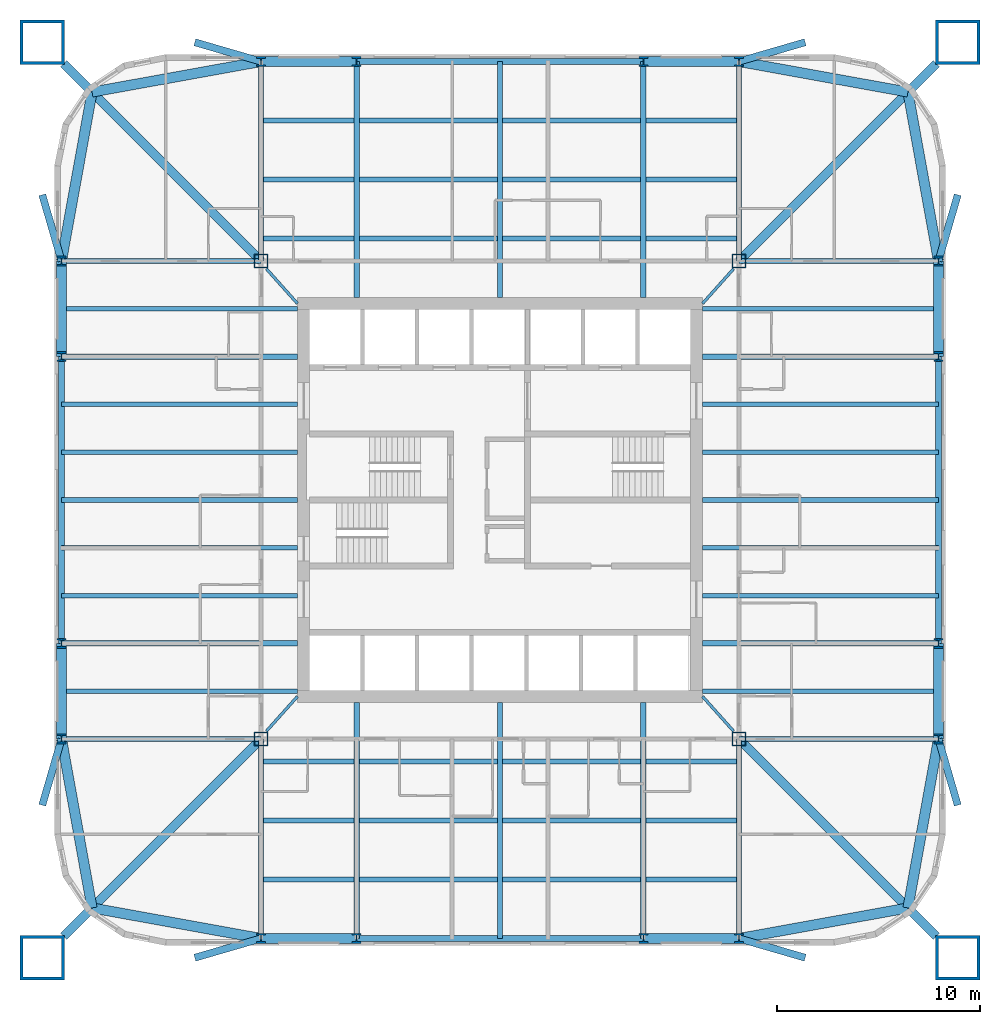
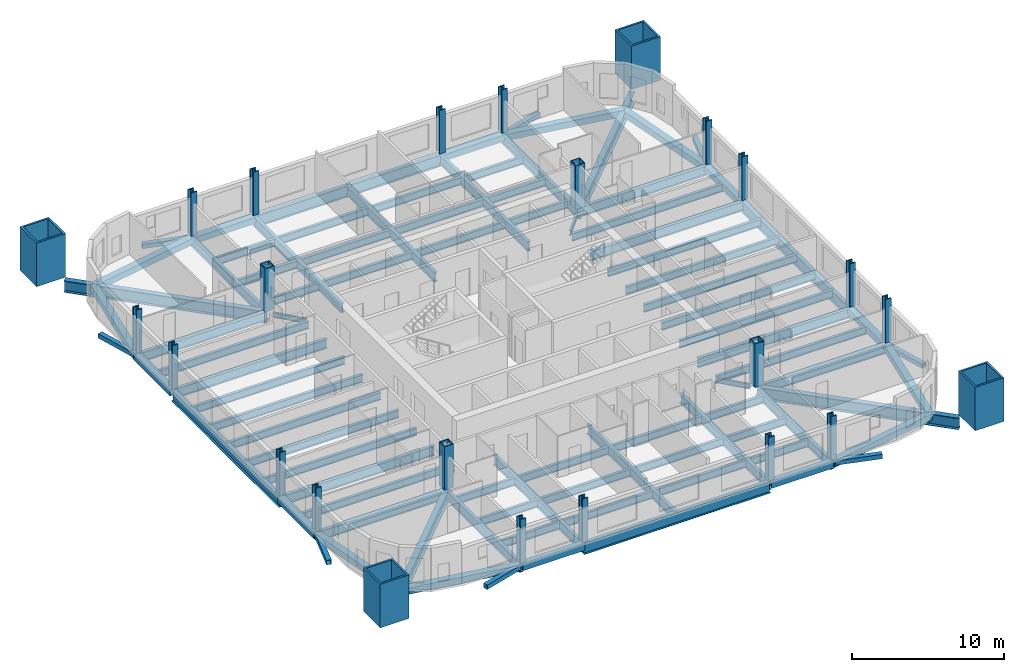
# One storey, part 1 of 10: 92 beams, 24 columns.
"""IFC4 building model written with IfcOpenShell, lengths in metres."""

from ifc_helpers import new_model, si_unit, direction, frame, origin, origin_2d, place, context, subcontext, project, spatial, hollow_rectangle, i_section, extrude, material, material_profile, profile_set, type_object, element, save


model = new_model("IFC4")

# Units and contexts
model_context = context("Model", 3, precision=1e-05, world=origin(), true_north=direction((0.0, 1.0)))
body_context = subcontext(model_context, "Body", "Model", "MODEL_VIEW")
ifc_project = project(units=[si_unit("LENGTHUNIT", "METRE"), si_unit("AREAUNIT", "SQUARE_METRE"), si_unit("VOLUMEUNIT", "CUBIC_METRE"), si_unit("PLANEANGLEUNIT", "RADIAN"), si_unit("MASSUNIT", "GRAM", prefix="KILO")], contexts=[model_context])

# Site, building, storey
site_placement = place(None, origin())
site = spatial("IfcSite", under=ifc_project, at=site_placement, CompositionType="ELEMENT")
building_placement = place(site_placement, origin())
building = spatial("IfcBuilding", under=site, at=building_placement, Name="Turquesa Mirador Hotel Tower", CompositionType="ELEMENT")
storey_placement = place(building_placement, frame((0.0, 0.0, 77.5)))
storey = spatial("IfcBuildingStorey", under=building, at=storey_placement, Name="L20", CompositionType="ELEMENT", Elevation=77.5)

# Columns
ifc_material_1 = material(Name="Steel ASTM A572 Grade 50", Category="steel")
ifc_material_profile_1 = material_profile(ifc_material_1, hollow_rectangle(XDim=0.699951171875, YDim=0.699951171875, WallThickness=0.06005859375, at=origin_2d()), Name="BOX700X700X60")
ifc_profile_set_1 = profile_set([ifc_material_profile_1], Name="Steel ASTM A572 Grade 50")
column_type_1 = type_object("IfcColumnType", Name="COLUMN BOX700X700X60", PredefinedType="COLUMN", material=ifc_profile_set_1)
for number, where, z_axis, x_axis, name in (
    (1, (43.199951171875, 33.199951171875, 0.0), (0.0, 0.0, 1.0), (1.0, 0.0, 0.0), "COL-L20-K--11.80--11.80"),
    (2, (43.199951171875, 56.800048828125, 0.0), (0.0, 0.0, 1.0), (1.0, 0.0, 0.0), "COL-L20-K--11.80-+11.80"),
    (3, (66.800048828125, 33.199951171875, 0.0), (0.0, 0.0, 1.0), (1.0, 0.0, 0.0), "COL-L20-K-+11.80--11.80"),
    (4, (66.800048828125, 56.800048828125, 0.0), (0.0, 0.0, 1.0), (1.0, 0.0, 0.0), "COL-L20-K-+11.80-+11.80"),
):
    element("IfcColumn", number, at=place(storey_placement, frame(where, z_axis=z_axis, x_axis=x_axis)), inside=storey, type_object=column_type_1, Name=name, PredefinedType="COLUMN", context=body_context, shape_type="SweptSolid", body=[
        extrude(hollow_rectangle(XDim=0.699951171875, YDim=0.699951171875, WallThickness=0.06005859375, at=origin_2d()), origin(), (0.0, 0.0, 1.0), 3.5),
    ])
ifc_material_2 = material(Name="Steel ASTM A992 Grade 50", Category="steel")
ifc_material_profile_2 = material_profile(ifc_material_2, i_section(OverallWidth=0.431884765625, OverallDepth=0.497802734375, WebThickness=0.0556640625, FlangeThickness=0.0888671875, at=origin_2d()), Name="W14X500")
ifc_profile_set_2 = profile_set([ifc_material_profile_2], Name="Steel ASTM A992 Grade 50")
column_type_2 = type_object("IfcColumnType", Name="COLUMN W14X500", PredefinedType="COLUMN", material=ifc_profile_set_2)
for number, where, z_axis, x_axis, name in (
    (5, (33.35009765625, 33.199951171875, 0.0), (0.0, 0.0, 1.0), (1.0, 0.0, 0.0), "COL-L20-P--21.65--11.80"),
    (6, (33.35009765625, 37.919921875, 0.0), (0.0, 0.0, 1.0), (1.0, 0.0, 0.0), "COL-L20-P--21.65--7.08"),
    (7, (33.35009765625, 52.080078125, 0.0), (0.0, 0.0, 1.0), (1.0, 0.0, 0.0), "COL-L20-P--21.65-+7.08"),
    (8, (33.35009765625, 56.800048828125, 0.0), (0.0, 0.0, 1.0), (1.0, 0.0, 0.0), "COL-L20-P--21.65-+11.80"),
    (9, (43.199951171875, 23.35009765625, 0.0), (0.0, 0.0, 1.0), (1.0, 0.0, 0.0), "COL-L20-P--11.80--21.65"),
    (10, (43.199951171875, 66.64990234375, 0.0), (0.0, 0.0, 1.0), (1.0, 0.0, 0.0), "COL-L20-P--11.80-+21.65"),
    (11, (47.919921875, 23.35009765625, 0.0), (0.0, 0.0, 1.0), (1.0, 0.0, 0.0), "COL-L20-P--7.08--21.65"),
    (12, (47.919921875, 66.64990234375, 0.0), (0.0, 0.0, 1.0), (1.0, 0.0, 0.0), "COL-L20-P--7.08-+21.65"),
    (13, (62.080078125, 23.35009765625, 0.0), (0.0, 0.0, 1.0), (1.0, 0.0, 0.0), "COL-L20-P-+7.08--21.65"),
    (14, (62.080078125, 66.64990234375, 0.0), (0.0, 0.0, 1.0), (1.0, 0.0, 0.0), "COL-L20-P-+7.08-+21.65"),
    (15, (66.800048828125, 23.35009765625, 0.0), (0.0, 0.0, 1.0), (1.0, 0.0, 0.0), "COL-L20-P-+11.80--21.65"),
    (16, (66.800048828125, 66.64990234375, 0.0), (0.0, 0.0, 1.0), (1.0, 0.0, 0.0), "COL-L20-P-+11.80-+21.65"),
    (17, (76.64990234375, 33.199951171875, 0.0), (0.0, 0.0, 1.0), (1.0, 0.0, 0.0), "COL-L20-P-+21.65--11.80"),
    (18, (76.64990234375, 37.919921875, 0.0), (0.0, 0.0, 1.0), (1.0, 0.0, 0.0), "COL-L20-P-+21.65--7.08"),
    (19, (76.64990234375, 52.080078125, 0.0), (0.0, 0.0, 1.0), (1.0, 0.0, 0.0), "COL-L20-P-+21.65-+7.08"),
    (20, (76.64990234375, 56.800048828125, 0.0), (0.0, 0.0, 1.0), (1.0, 0.0, 0.0), "COL-L20-P-+21.65-+11.80"),
):
    element("IfcColumn", number, at=place(storey_placement, frame(where, z_axis=z_axis, x_axis=x_axis)), inside=storey, type_object=column_type_2, Name=name, PredefinedType="COLUMN", context=body_context, shape_type="SweptSolid", body=[
        extrude(i_section(OverallWidth=0.431884765625, OverallDepth=0.497802734375, WebThickness=0.0556640625, FlangeThickness=0.0888671875, at=origin_2d()), origin(), (0.0, 0.0, 1.0), 3.5),
    ])
ifc_material_3 = material(Name="Steel ASTM A514 Grade Q", Category="steel")
ifc_material_profile_3 = material_profile(ifc_material_3, hollow_rectangle(XDim=2.199951171875, YDim=2.199951171875, WallThickness=0.14990234375, at=origin_2d()), Name="BOX2200X2200X150")
ifc_profile_set_3 = profile_set([ifc_material_profile_3], Name="Steel ASTM A514 Grade Q")
column_type_3 = type_object("IfcColumnType", Name="MEGA COLUMN BOX2200X2200X150", PredefinedType="COLUMN", material=ifc_profile_set_3)
for number, where, z_axis, x_axis, name in (
    (21, (77.60009765625, 67.60009765625, 0.0), (0.0, 0.0, 1.0), (1.0, 0.0, 0.0), "Mega column M1"),
    (22, (32.39990234375, 67.60009765625, 0.0), (0.0, 0.0, 1.0), (1.0, 0.0, 0.0), "Mega column M2"),
    (23, (32.39990234375, 22.39990234375, 0.0), (0.0, 0.0, 1.0), (1.0, 0.0, 0.0), "Mega column M3"),
    (24, (77.60009765625, 22.39990234375, 0.0), (0.0, 0.0, 1.0), (1.0, 0.0, 0.0), "Mega column M4"),
):
    element("IfcColumn", number, at=place(storey_placement, frame(where, z_axis=z_axis, x_axis=x_axis)), inside=storey, type_object=column_type_3, Name=name, PredefinedType="COLUMN", context=body_context, shape_type="SweptSolid", body=[
        extrude(hollow_rectangle(XDim=2.199951171875, YDim=2.199951171875, WallThickness=0.14990234375, at=origin_2d()), origin(), (0.0, 0.0, 1.0), 3.5),
    ])

# Beams
ifc_material_4 = material(Name="Steel ASTM A572 Grade 50", Category="steel")
ifc_material_profile_4 = material_profile(ifc_material_4, hollow_rectangle(XDim=0.5, YDim=0.5, WallThickness=0.01611328125, at=origin_2d()), Name="BOX500X500X16")
ifc_profile_set_4 = profile_set([ifc_material_profile_4], Name="Steel ASTM A572 Grade 50")
beam_type_1 = type_object("IfcBeamType", Name="BEAM BOX500X500X16", PredefinedType="BEAM", material=ifc_profile_set_4)
for number, where, z_axis, x_axis, name in (
    (25, (43.199951171875, 66.64990234375, -0.419921875), (1.0, 0.0, 0.0), (0.0, 1.0, 0.0), "EB-L20-N-L"),
    (26, (62.080078125, 66.64990234375, -0.419921875), (1.0, 0.0, 0.0), (0.0, 1.0, 0.0), "EB-L20-N-R"),
    (27, (43.199951171875, 23.35009765625, -0.419921875), (1.0, 0.0, 0.0), (0.0, 1.0, 0.0), "EB-L20-S-L"),
    (28, (62.080078125, 23.35009765625, -0.419921875), (1.0, 0.0, 0.0), (0.0, 1.0, 0.0), "EB-L20-S-R"),
    (29, (76.64990234375, 33.199951171875, -0.419921875), (0.0, 1.0, 0.0), (-1.0, 0.0, 0.0), "EB-L20-E-L"),
    (30, (76.64990234375, 52.080078125, -0.419921875), (0.0, 1.0, 0.0), (-1.0, 0.0, 0.0), "EB-L20-E-R"),
    (31, (33.35009765625, 33.199951171875, -0.419921875), (0.0, 1.0, 0.0), (-1.0, 0.0, 0.0), "EB-L20-W-L"),
    (32, (33.35009765625, 52.080078125, -0.419921875), (0.0, 1.0, 0.0), (-1.0, 0.0, 0.0), "EB-L20-W-R"),
):
    element("IfcBeam", number, at=place(storey_placement, frame(where, z_axis=z_axis, x_axis=x_axis)), inside=storey, type_object=beam_type_1, Name=name, PredefinedType="BEAM", context=body_context, shape_type="SweptSolid", body=[
        extrude(hollow_rectangle(XDim=0.5, YDim=0.5, WallThickness=0.01611328125, at=origin_2d()), origin(), (0.0, 0.0, 1.0), 4.719970703125),
    ])
for number, where, z_axis, x_axis, name in (
    (33, (76.64990234375, 56.800048828125, -0.419921875), (-0.177932387818, 0.984042715214, 0.0), (-0.984042715214, -0.177932387818, 0.0), "KE-L20-1-0"),
    (34, (75.1416015625, 65.1416015625, -0.419921875), (-0.984042715214, 0.177932387818, 0.0), (-0.177932387818, -0.984042715214, 0.0), "KE-L20-1-1"),
    (35, (33.35009765625, 56.800048828125, -0.419921875), (0.177932387818, 0.984042715214, 0.0), (-0.984042715214, 0.177932387818, 0.0), "KE-L20-2-0"),
    (36, (34.8583984375, 65.1416015625, -0.419921875), (0.984042715214, 0.177932387818, 0.0), (-0.177932387818, 0.984042715214, 0.0), "KE-L20-2-1"),
    (37, (33.35009765625, 33.199951171875, -0.419921875), (0.177932387818, -0.984042715214, 0.0), (0.984042715214, 0.177932387818, 0.0), "KE-L20-3-0"),
    (38, (34.8583984375, 24.8583984375, -0.419921875), (0.984042715214, -0.177932387818, 0.0), (0.177932387818, 0.984042715214, 0.0), "KE-L20-3-1"),
    (39, (76.64990234375, 33.199951171875, -0.419921875), (-0.177932387818, -0.984042715214, 0.0), (0.984042715214, -0.177932387818, 0.0), "KE-L20-4-0"),
    (40, (75.1416015625, 24.8583984375, -0.419921875), (-0.984042715214, -0.177932387818, 0.0), (0.177932387818, -0.984042715214, 0.0), "KE-L20-4-1"),
):
    element("IfcBeam", number, at=place(storey_placement, frame(where, z_axis=z_axis, x_axis=x_axis)), inside=storey, type_object=beam_type_1, Name=name, PredefinedType="BEAM", context=body_context, shape_type="SweptSolid", body=[
        extrude(hollow_rectangle(XDim=0.5, YDim=0.5, WallThickness=0.01611328125, at=origin_2d()), origin(), (0.0, 0.0, 1.0), 8.476806640625),
    ])
ifc_material_5 = material(Name="Steel ASTM A992 Grade 50", Category="steel")
ifc_material_profile_5 = material_profile(ifc_material_5, i_section(OverallWidth=0.140380859375, OverallDepth=0.40380859375, WebThickness=0.007080078125, FlangeThickness=0.01123046875, at=origin_2d()), Name="W16X31")
ifc_profile_set_5 = profile_set([ifc_material_profile_5], Name="Steel ASTM A992 Grade 50")
beam_type_2 = type_object("IfcBeamType", Name="BEAM W16X31", PredefinedType="BEAM", material=ifc_profile_set_5)
for number, where, z_axis, x_axis, name in (
    (41, (66.529541015625, 56.40966796875, -0.371826171875), (-0.666745084392, -0.745285846129, 0.0), (0.745285846129, -0.666745084392, 0.0), "KT-L20-1"),
    (42, (43.470458984375, 56.40966796875, -0.371826171875), (0.666745084392, -0.745285846129, 0.0), (0.745285846129, 0.666745084392, 0.0), "KT-L20-2"),
    (43, (43.470458984375, 33.59033203125, -0.371826171875), (0.666745084392, 0.745285846129, 0.0), (-0.745285846129, 0.666745084392, 0.0), "KT-L20-3"),
    (44, (66.529541015625, 33.59033203125, -0.371826171875), (-0.666745084392, 0.745285846129, 0.0), (-0.745285846129, -0.666745084392, 0.0), "KT-L20-4"),
):
    element("IfcBeam", number, at=place(storey_placement, frame(where, z_axis=z_axis, x_axis=x_axis)), inside=storey, type_object=beam_type_2, Name=name, PredefinedType="BEAM", context=body_context, shape_type="SweptSolid", body=[
        extrude(i_section(OverallWidth=0.140380859375, OverallDepth=0.40380859375, WebThickness=0.007080078125, FlangeThickness=0.01123046875, at=origin_2d()), origin(), (0.0, 0.0, 1.0), 2.2939453125),
    ])
ifc_material_6 = material(Name="Steel ASTM A992 Grade 50", Category="steel")
ifc_material_profile_6 = material_profile(ifc_material_6, i_section(OverallWidth=0.228271484375, OverallDepth=0.607177734375, WebThickness=0.01123046875, FlangeThickness=0.017333984375, at=origin_2d()), Name="W24X76")
ifc_profile_set_6 = profile_set([ifc_material_profile_6], Name="Steel ASTM A992 Grade 50")
beam_type_3 = type_object("IfcBeamType", Name="BEAM W24X76", PredefinedType="BEAM", material=ifc_profile_set_6)
beam_1_placement = place(storey_placement, frame((43.333251953125, 57.912109375, -0.4736328125), z_axis=(1.0, 0.0, 0.0), x_axis=(0.0, 1.0, 0.0)))
element("IfcBeam", 45, at=beam_1_placement, inside=storey, type_object=beam_type_3, Name="IB-L20-N-1-0", PredefinedType="BEAM", context=body_context, shape_type="SweptSolid", body=[
    extrude(i_section(OverallWidth=0.228271484375, OverallDepth=0.607177734375, WebThickness=0.01123046875, FlangeThickness=0.017333984375, at=origin_2d()), origin(), (0.0, 0.0, 1.0), 4.453369140625),
])
for number, where, z_axis, x_axis, name in (
    (46, (48.053466796875, 57.912109375, -0.4736328125), (1.0, 0.0, 0.0), (0.0, 1.0, 0.0), "IB-L20-N-1-1"),
    (47, (55.13330078125, 57.912109375, -0.4736328125), (1.0, 0.0, 0.0), (0.0, 1.0, 0.0), "IB-L20-N-1-2"),
):
    element("IfcBeam", number, at=place(storey_placement, frame(where, z_axis=z_axis, x_axis=x_axis)), inside=storey, type_object=beam_type_3, Name=name, PredefinedType="BEAM", context=body_context, shape_type="SweptSolid", body=[
        extrude(i_section(OverallWidth=0.228271484375, OverallDepth=0.607177734375, WebThickness=0.01123046875, FlangeThickness=0.017333984375, at=origin_2d()), origin(), (0.0, 0.0, 1.0), 6.813232421875),
    ])
for number, where, z_axis, x_axis, name in (
    (48, (62.21337890625, 57.912109375, -0.4736328125), (1.0, 0.0, 0.0), (0.0, 1.0, 0.0), "IB-L20-N-1-3"),
    (49, (43.333251953125, 60.824951171875, -0.4736328125), (1.0, 0.0, 0.0), (0.0, 1.0, 0.0), "IB-L20-N-2-0"),
):
    element("IfcBeam", number, at=place(storey_placement, frame(where, z_axis=z_axis, x_axis=x_axis)), inside=storey, type_object=beam_type_3, Name=name, PredefinedType="BEAM", context=body_context, shape_type="SweptSolid", body=[
        extrude(i_section(OverallWidth=0.228271484375, OverallDepth=0.607177734375, WebThickness=0.01123046875, FlangeThickness=0.017333984375, at=origin_2d()), origin(), (0.0, 0.0, 1.0), 4.453369140625),
    ])
for number, where, z_axis, x_axis, name in (
    (50, (48.053466796875, 60.824951171875, -0.4736328125), (1.0, 0.0, 0.0), (0.0, 1.0, 0.0), "IB-L20-N-2-1"),
    (51, (55.13330078125, 60.824951171875, -0.4736328125), (1.0, 0.0, 0.0), (0.0, 1.0, 0.0), "IB-L20-N-2-2"),
):
    element("IfcBeam", number, at=place(storey_placement, frame(where, z_axis=z_axis, x_axis=x_axis)), inside=storey, type_object=beam_type_3, Name=name, PredefinedType="BEAM", context=body_context, shape_type="SweptSolid", body=[
        extrude(i_section(OverallWidth=0.228271484375, OverallDepth=0.607177734375, WebThickness=0.01123046875, FlangeThickness=0.017333984375, at=origin_2d()), origin(), (0.0, 0.0, 1.0), 6.813232421875),
    ])
for number, where, z_axis, x_axis, name in (
    (52, (62.21337890625, 60.824951171875, -0.4736328125), (1.0, 0.0, 0.0), (0.0, 1.0, 0.0), "IB-L20-N-2-3"),
    (53, (43.333251953125, 63.737060546875, -0.4736328125), (1.0, 0.0, 0.0), (0.0, 1.0, 0.0), "IB-L20-N-3-0"),
):
    element("IfcBeam", number, at=place(storey_placement, frame(where, z_axis=z_axis, x_axis=x_axis)), inside=storey, type_object=beam_type_3, Name=name, PredefinedType="BEAM", context=body_context, shape_type="SweptSolid", body=[
        extrude(i_section(OverallWidth=0.228271484375, OverallDepth=0.607177734375, WebThickness=0.01123046875, FlangeThickness=0.017333984375, at=origin_2d()), origin(), (0.0, 0.0, 1.0), 4.453369140625),
    ])
for number, where, z_axis, x_axis, name in (
    (54, (48.053466796875, 63.737060546875, -0.4736328125), (1.0, 0.0, 0.0), (0.0, 1.0, 0.0), "IB-L20-N-3-1"),
    (55, (55.13330078125, 63.737060546875, -0.4736328125), (1.0, 0.0, 0.0), (0.0, 1.0, 0.0), "IB-L20-N-3-2"),
):
    element("IfcBeam", number, at=place(storey_placement, frame(where, z_axis=z_axis, x_axis=x_axis)), inside=storey, type_object=beam_type_3, Name=name, PredefinedType="BEAM", context=body_context, shape_type="SweptSolid", body=[
        extrude(i_section(OverallWidth=0.228271484375, OverallDepth=0.607177734375, WebThickness=0.01123046875, FlangeThickness=0.017333984375, at=origin_2d()), origin(), (0.0, 0.0, 1.0), 6.813232421875),
    ])
for number, where, z_axis, x_axis, name in (
    (56, (62.21337890625, 63.737060546875, -0.4736328125), (1.0, 0.0, 0.0), (0.0, 1.0, 0.0), "IB-L20-N-3-3"),
    (57, (43.333251953125, 32.087890625, -0.4736328125), (1.0, 0.0, 0.0), (0.0, 1.0, 0.0), "IB-L20-S-1-0"),
):
    element("IfcBeam", number, at=place(storey_placement, frame(where, z_axis=z_axis, x_axis=x_axis)), inside=storey, type_object=beam_type_3, Name=name, PredefinedType="BEAM", context=body_context, shape_type="SweptSolid", body=[
        extrude(i_section(OverallWidth=0.228271484375, OverallDepth=0.607177734375, WebThickness=0.01123046875, FlangeThickness=0.017333984375, at=origin_2d()), origin(), (0.0, 0.0, 1.0), 4.453369140625),
    ])
for number, where, z_axis, x_axis, name in (
    (58, (48.053466796875, 32.087890625, -0.4736328125), (1.0, 0.0, 0.0), (0.0, 1.0, 0.0), "IB-L20-S-1-1"),
    (59, (55.13330078125, 32.087890625, -0.4736328125), (1.0, 0.0, 0.0), (0.0, 1.0, 0.0), "IB-L20-S-1-2"),
):
    element("IfcBeam", number, at=place(storey_placement, frame(where, z_axis=z_axis, x_axis=x_axis)), inside=storey, type_object=beam_type_3, Name=name, PredefinedType="BEAM", context=body_context, shape_type="SweptSolid", body=[
        extrude(i_section(OverallWidth=0.228271484375, OverallDepth=0.607177734375, WebThickness=0.01123046875, FlangeThickness=0.017333984375, at=origin_2d()), origin(), (0.0, 0.0, 1.0), 6.813232421875),
    ])
for number, where, z_axis, x_axis, name in (
    (60, (62.21337890625, 32.087890625, -0.4736328125), (1.0, 0.0, 0.0), (0.0, 1.0, 0.0), "IB-L20-S-1-3"),
    (61, (43.333251953125, 29.175048828125, -0.4736328125), (1.0, 0.0, 0.0), (0.0, 1.0, 0.0), "IB-L20-S-2-0"),
):
    element("IfcBeam", number, at=place(storey_placement, frame(where, z_axis=z_axis, x_axis=x_axis)), inside=storey, type_object=beam_type_3, Name=name, PredefinedType="BEAM", context=body_context, shape_type="SweptSolid", body=[
        extrude(i_section(OverallWidth=0.228271484375, OverallDepth=0.607177734375, WebThickness=0.01123046875, FlangeThickness=0.017333984375, at=origin_2d()), origin(), (0.0, 0.0, 1.0), 4.453369140625),
    ])
for number, where, z_axis, x_axis, name in (
    (62, (48.053466796875, 29.175048828125, -0.4736328125), (1.0, 0.0, 0.0), (0.0, 1.0, 0.0), "IB-L20-S-2-1"),
    (63, (55.13330078125, 29.175048828125, -0.4736328125), (1.0, 0.0, 0.0), (0.0, 1.0, 0.0), "IB-L20-S-2-2"),
):
    element("IfcBeam", number, at=place(storey_placement, frame(where, z_axis=z_axis, x_axis=x_axis)), inside=storey, type_object=beam_type_3, Name=name, PredefinedType="BEAM", context=body_context, shape_type="SweptSolid", body=[
        extrude(i_section(OverallWidth=0.228271484375, OverallDepth=0.607177734375, WebThickness=0.01123046875, FlangeThickness=0.017333984375, at=origin_2d()), origin(), (0.0, 0.0, 1.0), 6.813232421875),
    ])
for number, where, z_axis, x_axis, name in (
    (64, (62.21337890625, 29.175048828125, -0.4736328125), (1.0, 0.0, 0.0), (0.0, 1.0, 0.0), "IB-L20-S-2-3"),
    (65, (43.333251953125, 26.262939453125, -0.4736328125), (1.0, 0.0, 0.0), (0.0, 1.0, 0.0), "IB-L20-S-3-0"),
):
    element("IfcBeam", number, at=place(storey_placement, frame(where, z_axis=z_axis, x_axis=x_axis)), inside=storey, type_object=beam_type_3, Name=name, PredefinedType="BEAM", context=body_context, shape_type="SweptSolid", body=[
        extrude(i_section(OverallWidth=0.228271484375, OverallDepth=0.607177734375, WebThickness=0.01123046875, FlangeThickness=0.017333984375, at=origin_2d()), origin(), (0.0, 0.0, 1.0), 4.453369140625),
    ])
for number, where, z_axis, x_axis, name in (
    (66, (48.053466796875, 26.262939453125, -0.4736328125), (1.0, 0.0, 0.0), (0.0, 1.0, 0.0), "IB-L20-S-3-1"),
    (67, (55.13330078125, 26.262939453125, -0.4736328125), (1.0, 0.0, 0.0), (0.0, 1.0, 0.0), "IB-L20-S-3-2"),
):
    element("IfcBeam", number, at=place(storey_placement, frame(where, z_axis=z_axis, x_axis=x_axis)), inside=storey, type_object=beam_type_3, Name=name, PredefinedType="BEAM", context=body_context, shape_type="SweptSolid", body=[
        extrude(i_section(OverallWidth=0.228271484375, OverallDepth=0.607177734375, WebThickness=0.01123046875, FlangeThickness=0.017333984375, at=origin_2d()), origin(), (0.0, 0.0, 1.0), 6.813232421875),
    ])
beam_2_placement = place(storey_placement, frame((62.21337890625, 26.262939453125, -0.4736328125), z_axis=(1.0, 0.0, 0.0), x_axis=(0.0, 1.0, 0.0)))
element("IfcBeam", 68, at=beam_2_placement, inside=storey, type_object=beam_type_3, Name="IB-L20-S-3-3", PredefinedType="BEAM", context=body_context, shape_type="SweptSolid", body=[
    extrude(i_section(OverallWidth=0.228271484375, OverallDepth=0.607177734375, WebThickness=0.01123046875, FlangeThickness=0.017333984375, at=origin_2d()), origin(), (0.0, 0.0, 1.0), 4.453369140625),
])
for number, where, z_axis, x_axis, name in (
    (69, (76.64990234375, 35.56005859375, -0.4736328125), (-1.0, 0.0, 0.0), (0.0, -1.0, 0.0), "BM-L20-E--9.44"),
    (70, (76.64990234375, 40.280029296875, -0.4736328125), (-1.0, 0.0, 0.0), (0.0, -1.0, 0.0), "BM-L20-E--4.72"),
    (71, (76.64990234375, 42.639892578125, -0.4736328125), (-1.0, 0.0, 0.0), (0.0, -1.0, 0.0), "BM-L20-E--2.36"),
    (72, (76.64990234375, 45.0, -0.4736328125), (-1.0, 0.0, 0.0), (0.0, -1.0, 0.0), "BM-L20-E-+0.00"),
    (73, (76.64990234375, 47.360107421875, -0.4736328125), (-1.0, 0.0, 0.0), (0.0, -1.0, 0.0), "BM-L20-E-+2.36"),
    (74, (76.64990234375, 49.719970703125, -0.4736328125), (-1.0, 0.0, 0.0), (0.0, -1.0, 0.0), "BM-L20-E-+4.72"),
    (75, (76.64990234375, 54.43994140625, -0.4736328125), (-1.0, 0.0, 0.0), (0.0, -1.0, 0.0), "BM-L20-E-+9.44"),
    (76, (33.35009765625, 35.56005859375, -0.4736328125), (1.0, 0.0, 0.0), (0.0, 1.0, 0.0), "BM-L20-W--9.44"),
    (77, (33.35009765625, 40.280029296875, -0.4736328125), (1.0, 0.0, 0.0), (0.0, 1.0, 0.0), "BM-L20-W--4.72"),
    (78, (33.35009765625, 42.639892578125, -0.4736328125), (1.0, 0.0, 0.0), (0.0, 1.0, 0.0), "BM-L20-W--2.36"),
    (79, (33.35009765625, 45.0, -0.4736328125), (1.0, 0.0, 0.0), (0.0, 1.0, 0.0), "BM-L20-W-+0.00"),
    (80, (33.35009765625, 47.360107421875, -0.4736328125), (1.0, 0.0, 0.0), (0.0, 1.0, 0.0), "BM-L20-W-+2.36"),
    (81, (33.35009765625, 49.719970703125, -0.4736328125), (1.0, 0.0, 0.0), (0.0, 1.0, 0.0), "BM-L20-W-+4.72"),
    (82, (33.35009765625, 54.43994140625, -0.4736328125), (1.0, 0.0, 0.0), (0.0, 1.0, 0.0), "BM-L20-W-+9.44"),
):
    element("IfcBeam", number, at=place(storey_placement, frame(where, z_axis=z_axis, x_axis=x_axis)), inside=storey, type_object=beam_type_3, Name=name, PredefinedType="BEAM", context=body_context, shape_type="SweptSolid", body=[
        extrude(i_section(OverallWidth=0.228271484375, OverallDepth=0.607177734375, WebThickness=0.01123046875, FlangeThickness=0.017333984375, at=origin_2d()), origin(), (0.0, 0.0, 1.0), 11.64990234375),
    ])
ifc_material_7 = material(Name="Steel ASTM A992 Grade 50", Category="steel")
ifc_material_profile_7 = material_profile(ifc_material_7, i_section(OverallWidth=0.2666015625, OverallDepth=0.7568359375, WebThickness=0.013916015625, FlangeThickness=0.019287109375, at=origin_2d()), Name="W30X108")
ifc_profile_set_7 = profile_set([ifc_material_profile_7], Name="Steel ASTM A992 Grade 50")
beam_type_4 = type_object("IfcBeamType", Name="BEAM W30X108", PredefinedType="BEAM", material=ifc_profile_set_7)
for number, where, z_axis, x_axis, name in (
    (83, (47.919921875, 66.64990234375, -0.54833984375), (0.0, -1.0, 0.0), (1.0, 0.0, 0.0), "GD-L20-N--7.08"),
    (84, (62.080078125, 66.64990234375, -0.54833984375), (0.0, -1.0, 0.0), (1.0, 0.0, 0.0), "GD-L20-N-+7.08"),
    (85, (55.0, 66.64990234375, -0.54833984375), (0.0, -1.0, 0.0), (1.0, 0.0, 0.0), "GD-L20-N-+0.00"),
):
    element("IfcBeam", number, at=place(storey_placement, frame(where, z_axis=z_axis, x_axis=x_axis)), inside=storey, type_object=beam_type_4, Name=name, PredefinedType="BEAM", context=body_context, shape_type="SweptSolid", body=[
        extrude(i_section(OverallWidth=0.2666015625, OverallDepth=0.7568359375, WebThickness=0.013916015625, FlangeThickness=0.019287109375, at=origin_2d()), origin(), (0.0, 0.0, 1.0), 11.64990234375),
    ])
for number, where, z_axis, x_axis, name in (
    (86, (43.199951171875, 66.64990234375, -0.54833984375), (0.0, -1.0, 0.0), (1.0, 0.0, 0.0), "GK-L20-N--11.80"),
    (87, (66.800048828125, 66.64990234375, -0.54833984375), (0.0, -1.0, 0.0), (1.0, 0.0, 0.0), "GK-L20-N-+11.80"),
):
    element("IfcBeam", number, at=place(storey_placement, frame(where, z_axis=z_axis, x_axis=x_axis)), inside=storey, type_object=beam_type_4, Name=name, PredefinedType="BEAM", context=body_context, shape_type="SweptSolid", body=[
        extrude(i_section(OverallWidth=0.2666015625, OverallDepth=0.7568359375, WebThickness=0.013916015625, FlangeThickness=0.019287109375, at=origin_2d()), origin(), (0.0, 0.0, 1.0), 9.849853515625),
    ])
for number, where, z_axis, x_axis, name in (
    (88, (47.919921875, 23.35009765625, -0.54833984375), (0.0, 1.0, 0.0), (-1.0, 0.0, 0.0), "GD-L20-S--7.08"),
    (89, (62.080078125, 23.35009765625, -0.54833984375), (0.0, 1.0, 0.0), (-1.0, 0.0, 0.0), "GD-L20-S-+7.08"),
    (90, (55.0, 23.35009765625, -0.54833984375), (0.0, 1.0, 0.0), (-1.0, 0.0, 0.0), "GD-L20-S-+0.00"),
):
    element("IfcBeam", number, at=place(storey_placement, frame(where, z_axis=z_axis, x_axis=x_axis)), inside=storey, type_object=beam_type_4, Name=name, PredefinedType="BEAM", context=body_context, shape_type="SweptSolid", body=[
        extrude(i_section(OverallWidth=0.2666015625, OverallDepth=0.7568359375, WebThickness=0.013916015625, FlangeThickness=0.019287109375, at=origin_2d()), origin(), (0.0, 0.0, 1.0), 11.64990234375),
    ])
for number, where, z_axis, x_axis, name in (
    (91, (43.199951171875, 23.35009765625, -0.54833984375), (0.0, 1.0, 0.0), (-1.0, 0.0, 0.0), "GK-L20-S--11.80"),
    (92, (66.800048828125, 23.35009765625, -0.54833984375), (0.0, 1.0, 0.0), (-1.0, 0.0, 0.0), "GK-L20-S-+11.80"),
):
    element("IfcBeam", number, at=place(storey_placement, frame(where, z_axis=z_axis, x_axis=x_axis)), inside=storey, type_object=beam_type_4, Name=name, PredefinedType="BEAM", context=body_context, shape_type="SweptSolid", body=[
        extrude(i_section(OverallWidth=0.2666015625, OverallDepth=0.7568359375, WebThickness=0.013916015625, FlangeThickness=0.019287109375, at=origin_2d()), origin(), (0.0, 0.0, 1.0), 9.849853515625),
    ])
for number, where, z_axis, x_axis, name in (
    (93, (76.64990234375, 37.919921875, -0.54833984375), (-1.0, 0.0, 0.0), (0.0, -1.0, 0.0), "GD-L20-E--7.08"),
    (94, (76.64990234375, 52.080078125, -0.54833984375), (-1.0, 0.0, 0.0), (0.0, -1.0, 0.0), "GD-L20-E-+7.08"),
):
    element("IfcBeam", number, at=place(storey_placement, frame(where, z_axis=z_axis, x_axis=x_axis)), inside=storey, type_object=beam_type_4, Name=name, PredefinedType="BEAM", context=body_context, shape_type="SweptSolid", body=[
        extrude(i_section(OverallWidth=0.2666015625, OverallDepth=0.7568359375, WebThickness=0.013916015625, FlangeThickness=0.019287109375, at=origin_2d()), origin(), (0.0, 0.0, 1.0), 11.64990234375),
    ])
for number, where, z_axis, x_axis, name in (
    (95, (76.64990234375, 33.199951171875, -0.54833984375), (-1.0, 0.0, 0.0), (0.0, -1.0, 0.0), "GK-L20-E--11.80"),
    (96, (76.64990234375, 56.800048828125, -0.54833984375), (-1.0, 0.0, 0.0), (0.0, -1.0, 0.0), "GK-L20-E-+11.80"),
):
    element("IfcBeam", number, at=place(storey_placement, frame(where, z_axis=z_axis, x_axis=x_axis)), inside=storey, type_object=beam_type_4, Name=name, PredefinedType="BEAM", context=body_context, shape_type="SweptSolid", body=[
        extrude(i_section(OverallWidth=0.2666015625, OverallDepth=0.7568359375, WebThickness=0.013916015625, FlangeThickness=0.019287109375, at=origin_2d()), origin(), (0.0, 0.0, 1.0), 9.849853515625),
    ])
for number, where, z_axis, x_axis, name in (
    (97, (33.35009765625, 37.919921875, -0.54833984375), (1.0, 0.0, 0.0), (0.0, 1.0, 0.0), "GD-L20-W--7.08"),
    (98, (33.35009765625, 52.080078125, -0.54833984375), (1.0, 0.0, 0.0), (0.0, 1.0, 0.0), "GD-L20-W-+7.08"),
):
    element("IfcBeam", number, at=place(storey_placement, frame(where, z_axis=z_axis, x_axis=x_axis)), inside=storey, type_object=beam_type_4, Name=name, PredefinedType="BEAM", context=body_context, shape_type="SweptSolid", body=[
        extrude(i_section(OverallWidth=0.2666015625, OverallDepth=0.7568359375, WebThickness=0.013916015625, FlangeThickness=0.019287109375, at=origin_2d()), origin(), (0.0, 0.0, 1.0), 11.64990234375),
    ])
for number, where, z_axis, x_axis, name in (
    (99, (33.35009765625, 33.199951171875, -0.54833984375), (1.0, 0.0, 0.0), (0.0, 1.0, 0.0), "GK-L20-W--11.80"),
    (100, (33.35009765625, 56.800048828125, -0.54833984375), (1.0, 0.0, 0.0), (0.0, 1.0, 0.0), "GK-L20-W-+11.80"),
):
    element("IfcBeam", number, at=place(storey_placement, frame(where, z_axis=z_axis, x_axis=x_axis)), inside=storey, type_object=beam_type_4, Name=name, PredefinedType="BEAM", context=body_context, shape_type="SweptSolid", body=[
        extrude(i_section(OverallWidth=0.2666015625, OverallDepth=0.7568359375, WebThickness=0.013916015625, FlangeThickness=0.019287109375, at=origin_2d()), origin(), (0.0, 0.0, 1.0), 9.849853515625),
    ])
ifc_material_8 = material(Name="Steel ASTM A992 Grade 50", Category="steel")
ifc_material_profile_8 = material_profile(ifc_material_8, i_section(OverallWidth=0.3046875, OverallDepth=0.911865234375, WebThickness=0.015869140625, FlangeThickness=0.02392578125, at=origin_2d()), Name="W36X150")
ifc_profile_set_8 = profile_set([ifc_material_profile_8], Name="Steel ASTM A992 Grade 50")
beam_type_5 = type_object("IfcBeamType", Name="BEAM W36X150", PredefinedType="BEAM", material=ifc_profile_set_8)
for number, where, z_axis, x_axis, name in (
    (101, (47.919921875, 66.64990234375, -0.6259765625), (1.0, 0.0, 0.0), (0.0, 1.0, 0.0), "EB-L20-N-C"),
    (102, (47.919921875, 23.35009765625, -0.6259765625), (1.0, 0.0, 0.0), (0.0, 1.0, 0.0), "EB-L20-S-C"),
    (103, (76.64990234375, 37.919921875, -0.6259765625), (0.0, 1.0, 0.0), (-1.0, 0.0, 0.0), "EB-L20-E-C"),
    (104, (33.35009765625, 37.919921875, -0.6259765625), (0.0, 1.0, 0.0), (-1.0, 0.0, 0.0), "EB-L20-W-C"),
):
    element("IfcBeam", number, at=place(storey_placement, frame(where, z_axis=z_axis, x_axis=x_axis)), inside=storey, type_object=beam_type_5, Name=name, PredefinedType="BEAM", context=body_context, shape_type="SweptSolid", body=[
        extrude(i_section(OverallWidth=0.3046875, OverallDepth=0.911865234375, WebThickness=0.015869140625, FlangeThickness=0.02392578125, at=origin_2d()), origin(), (0.0, 0.0, 1.0), 14.16015625),
    ])
ifc_material_9 = material(Name="Steel ASTM A992 Grade 50", Category="steel")
ifc_material_profile_9 = material_profile(ifc_material_9, i_section(OverallWidth=0.419189453125, OverallDepth=0.927001953125, WebThickness=0.019287109375, FlangeThickness=0.031982421875, at=origin_2d()), Name="W36X231")
ifc_profile_set_9 = profile_set([ifc_material_profile_9], Name="Steel ASTM A992 Grade 50")
beam_type_6 = type_object("IfcBeamType", Name="BEAM W36X231", PredefinedType="BEAM", material=ifc_profile_set_9)
for number, where, z_axis, x_axis, name in (
    (105, (66.800048828125, 56.800048828125, -0.633544921875), (0.707106781187, 0.707106781187, 0.0), (-0.707106781187, 0.707106781187, 0.0), "KD-L20-1"),
    (106, (43.199951171875, 56.800048828125, -0.633544921875), (-0.707106781187, 0.707106781187, 0.0), (-0.707106781187, -0.707106781187, 0.0), "KD-L20-2"),
    (107, (43.199951171875, 33.199951171875, -0.633544921875), (-0.707106781187, -0.707106781187, 0.0), (0.707106781187, -0.707106781187, 0.0), "KD-L20-3"),
    (108, (66.800048828125, 33.199951171875, -0.633544921875), (0.707106781187, -0.707106781187, 0.0), (0.707106781187, 0.707106781187, 0.0), "KD-L20-4"),
):
    element("IfcBeam", number, at=place(storey_placement, frame(where, z_axis=z_axis, x_axis=x_axis)), inside=storey, type_object=beam_type_6, Name=name, PredefinedType="BEAM", context=body_context, shape_type="SweptSolid", body=[
        extrude(i_section(OverallWidth=0.419189453125, OverallDepth=0.927001953125, WebThickness=0.019287109375, FlangeThickness=0.031982421875, at=origin_2d()), origin(), (0.0, 0.0, 1.0), 13.78857421875),
    ])
ifc_material_10 = material(Name="Steel ASTM A500 Grade C", Category="steel")
ifc_material_profile_10 = material_profile(ifc_material_10, hollow_rectangle(XDim=0.355712890625, YDim=0.355712890625, WallThickness=0.0146484375, at=origin_2d()), Name="HSS14X14X5/8")
ifc_profile_set_10 = profile_set([ifc_material_profile_10], Name="Steel ASTM A500 Grade C")
beam_type_7 = type_object("IfcBeamType", Name="BRACE STRUT HSS14X14X5/8", PredefinedType="BEAM", material=ifc_profile_set_10)
for number, where, z_axis, x_axis, name in (
    (109, (70.066650390625, 67.60009765625, -0.347900390625), (-0.960202295534, -0.279305480883, 0.0), (0.279305480883, -0.960202295534, 0.0), "Brace strut"),
    (110, (39.933349609375, 67.60009765625, -0.347900390625), (0.960202295534, -0.279305480883, 0.0), (0.279305480883, 0.960202295534, 0.0), "Brace strut"),
    (111, (70.066650390625, 22.39990234375, -0.347900390625), (-0.960202295534, 0.279305480883, 0.0), (-0.279305480883, -0.960202295534, 0.0), "Brace strut"),
    (112, (39.933349609375, 22.39990234375, -0.347900390625), (0.960202295534, 0.279305480883, 0.0), (-0.279305480883, 0.960202295534, 0.0), "Brace strut"),
    (113, (77.60009765625, 60.066650390625, -0.347900390625), (-0.279305480883, -0.960202295534, 0.0), (0.960202295534, -0.279305480883, 0.0), "Brace strut"),
    (114, (77.60009765625, 29.933349609375, -0.347900390625), (-0.279305480883, 0.960202295534, 0.0), (-0.960202295534, -0.279305480883, 0.0), "Brace strut"),
    (115, (32.39990234375, 60.066650390625, -0.347900390625), (0.279305480883, -0.960202295534, 0.0), (0.960202295534, 0.279305480883, 0.0), "Brace strut"),
    (116, (32.39990234375, 29.933349609375, -0.347900390625), (0.279305480883, 0.960202295534, 0.0), (-0.960202295534, 0.279305480883, 0.0), "Brace strut"),
):
    element("IfcBeam", number, at=place(storey_placement, frame(where, z_axis=z_axis, x_axis=x_axis)), inside=storey, type_object=beam_type_7, Name=name, PredefinedType="BEAM", context=body_context, shape_type="SweptSolid", body=[
        extrude(hollow_rectangle(XDim=0.355712890625, YDim=0.355712890625, WallThickness=0.0146484375, at=origin_2d()), origin(), (0.0, 0.0, 1.0), 3.402099609375),
    ])

save(model, "model.ifc")
